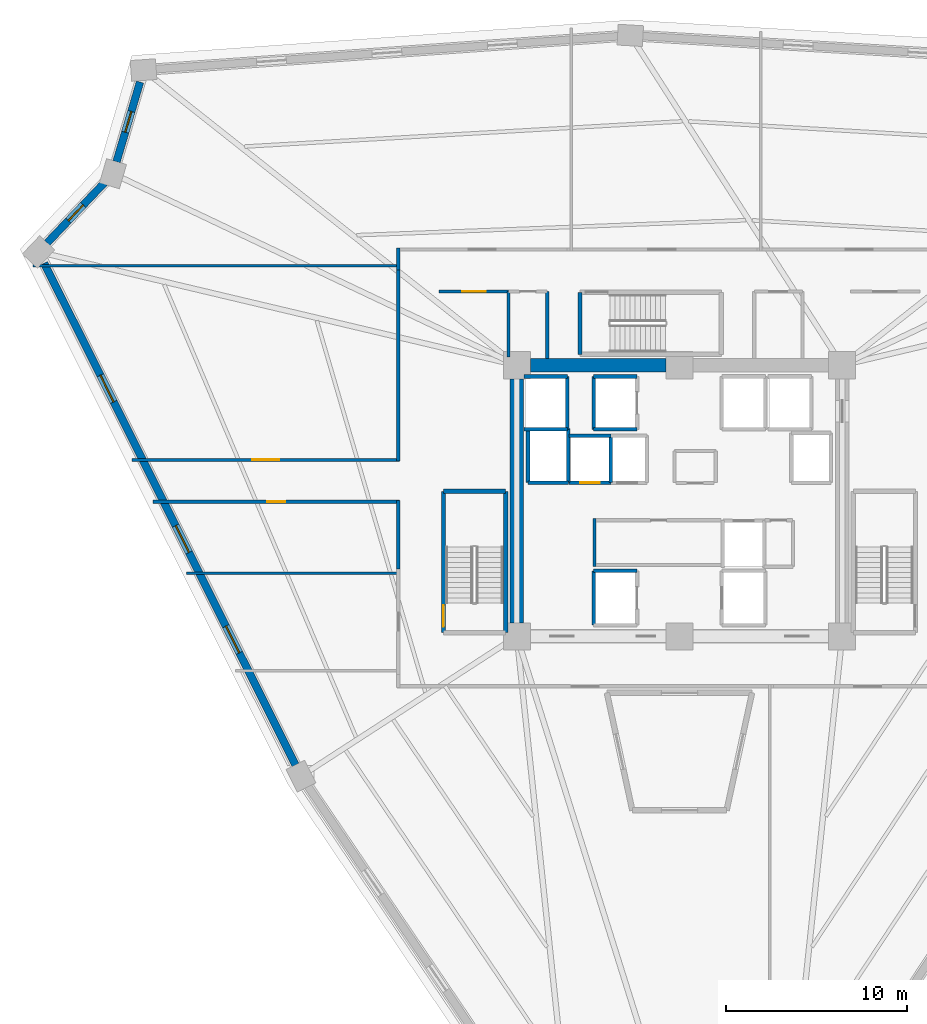
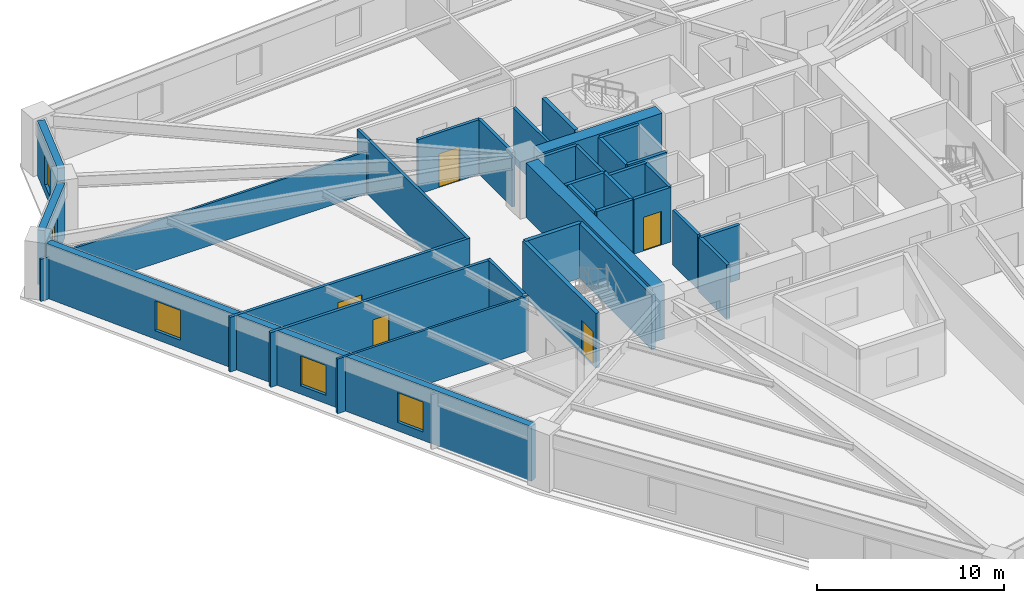
# One storey, part 4 of 9: 34 walls, 5 doors, 5 windows, 10 openings.
"""IFC4 building model written with IfcOpenShell, lengths in metres."""

from ifc_helpers import new_model, si_unit, direction, frame, frame_2d, origin, place, context, subcontext, project, spatial, rectangle, extrude, source, transform, mapped, material, layer, layer_set, type_object, element, fill, save


model = new_model("IFC4")

# Units and contexts
model_context = context("Model", 3, precision=1e-05, world=origin(), true_north=direction((0.0, 1.0)))
body_context = subcontext(model_context, "Body", "Model", "MODEL_VIEW")
ifc_project = project(units=[si_unit("LENGTHUNIT", "METRE"), si_unit("AREAUNIT", "SQUARE_METRE"), si_unit("VOLUMEUNIT", "CUBIC_METRE"), si_unit("PLANEANGLEUNIT", "RADIAN"), si_unit("MASSUNIT", "GRAM", prefix="KILO")], contexts=[model_context])

# Site, building, storey
site_placement = place(None, origin())
site = spatial("IfcSite", under=ifc_project, at=site_placement, CompositionType="ELEMENT")
building_placement = place(site_placement, origin())
building = spatial("IfcBuilding", under=site, at=building_placement, Name="Liaohun Quay Tower", CompositionType="ELEMENT")
storey_placement = place(building_placement, frame((0.0, 0.0, 144.0)))
storey = spatial("IfcBuildingStorey", under=building, at=storey_placement, Name="L37", CompositionType="ELEMENT", Elevation=144.0)

# Walls
ifc_material_1 = material(Name="Concrete C60", Category="concrete")
ifc_layer_1 = layer(ifc_material_1, 0.75, Name="Concrete C60", Category="concrete")
ifc_layer_set_1 = layer_set([ifc_layer_1], Name="Concrete C60")
wall_type_1 = type_object("IfcWallType", Name="WAL-COR-Z2", PredefinedType="SHEAR", material=ifc_layer_set_1)
wall_1_placement = place(storey_placement, frame((51.75, 61.5, 0.0), z_axis=(0.0, 0.0, 1.0), x_axis=(1.0, 0.0, 0.0)))
element("IfcWall", 1, at=wall_1_placement, inside=storey, type_object=wall_type_1, Name="L37 Central Core Shear Wall N-W", PredefinedType="SHEAR", context=body_context, shape_type="SweptSolid", body=[
    extrude(rectangle(XDim=7.5, YDim=0.75, at=frame_2d((3.75, 0.0))), origin(), (0.0, 0.0, 1.0), 3.570068359375),
])
wall_2_placement = place(storey_placement, frame((51.0, 47.25, 0.0), z_axis=(0.0, 0.0, 1.0), x_axis=(0.0, 1.0, 0.0)))
element("IfcWall", 2, at=wall_2_placement, inside=storey, type_object=wall_type_1, Name="L37 Central Core Shear Wall W", PredefinedType="SHEAR", context=body_context, shape_type="SweptSolid", body=[
    extrude(rectangle(XDim=13.5, YDim=0.75, at=frame_2d((6.75, 0.0))), origin(), (0.0, 0.0, 1.0), 3.570068359375),
])

# Wall, opening, window
ifc_material_2 = material(Name="Precast concrete C50 insulated sandwich", Category="concrete")
ifc_layer_2 = layer(ifc_material_2, 0.419921875, Name="Precast concrete C50 insulated sandwich", Category="concrete")
ifc_layer_set_2 = layer_set([ifc_layer_2], Name="Precast concrete C50 insulated sandwich")
wall_type_2 = type_object("IfcWallType", Name="WAL-EXT-Z12", PredefinedType="SOLIDWALL", material=ifc_layer_set_2)
wall_3_placement = place(storey_placement, frame((30.14892578125, 77.175048828125, 0.0), z_axis=(0.0, 0.0, 1.0), x_axis=(-0.282915865334, -0.959144730029, 0.0)))
wall_3 = element("IfcWall", 3, at=wall_3_placement, inside=storey, type_object=wall_type_2, Name="L37 Brutalist Precast Pier Wall 08", PredefinedType="SOLIDWALL", context=body_context, shape_type="SweptSolid", body=[
    extrude(rectangle(XDim=4.60205078125, YDim=0.419921875, at=frame_2d((2.301025390625, 0.0))), origin(), (0.0, 0.0, 1.0), 3.570068359375),
])
shared_shape_1 = source(origin(), body_context, "Body", "SweptSolid", [
    extrude(rectangle(XDim=1.199951171875, YDim=1.89990234375, at=frame_2d((0.60009765625, 0.949951171875))), frame((0.0, 0.219970703125, 0.0), z_axis=(0.0, -1.0, 0.0), x_axis=(1.0, 0.0, 0.0)), (0.0, 0.0, 1.0), 0.43994140625),
])
opening_1_placement = place(wall_3_placement, frame((1.700927734375, 0.0, 0.550048828125)))
opening_1 = element("IfcOpeningElement", 4, at=opening_1_placement, cuts=wall_3, Name="Opening W05", PredefinedType="OPENING", context=body_context, shape_type="MappedRepresentation", body=[
    mapped(shared_shape_1, transform((0.0, 0.0, 0.0), x_axis=(1.0, 0.0, 0.0), y_axis=(0.0, 1.0, 0.0), z_axis=(0.0, 0.0, 1.0), scale=1.0)),
])
ifc_material_3 = material(Name="Triple Low-E corner notch glazing", Category="glass")
window_type_1 = type_object("IfcWindowType", Name="WIN-NOTCH", PartitioningType="SINGLE_PANEL", PredefinedType="WINDOW", material=ifc_material_3)
shared_shape_2 = source(origin(), body_context, "Body", "SweptSolid", [
    extrude(rectangle(XDim=1.199951171875, YDim=1.89990234375, at=frame_2d((0.60009765625, 0.949951171875))), frame((0.0, 0.030029296875, 0.0), z_axis=(0.0, -1.0, 0.0), x_axis=(1.0, 0.0, 0.0)), (0.0, 0.0, 1.0), 0.06005859375),
])
window_1_placement = place(opening_1_placement, origin())
window_1 = element("IfcWindow", 5, at=window_1_placement, inside=storey, type_object=window_type_1, Name="L37 Corner Notch Window W05-08", OverallHeight=1.89990234375, OverallWidth=1.199951171875, PartitioningType="SINGLE_PANEL", PredefinedType="WINDOW", context=body_context, shape_type="MappedRepresentation", body=[
    mapped(shared_shape_2, transform((0.0, 0.0, 0.0), x_axis=(1.0, 0.0, 0.0), y_axis=(0.0, 1.0, 0.0), z_axis=(0.0, 0.0, 1.0), scale=1.0)),
])
fill(opening_1, window_1)

wall_4_placement = place(storey_placement, frame((28.176025390625, 71.59912109375, 0.0), z_axis=(0.0, 0.0, 1.0), x_axis=(-0.689246421926, -0.724526997331, 0.0)))
wall_4 = element("IfcWall", 6, at=wall_4_placement, inside=storey, type_object=wall_type_2, Name="L37 Brutalist Precast Pier Wall 09", PredefinedType="SOLIDWALL", context=body_context, shape_type="SweptSolid", body=[
    extrude(rectangle(XDim=4.594970703125, YDim=0.419921875, at=frame_2d((2.29736328125, 0.0))), origin(), (0.0, 0.0, 1.0), 3.570068359375),
])
opening_2_placement = place(wall_4_placement, frame((1.697021484375, 0.0, 0.550048828125)))
opening_2 = element("IfcOpeningElement", 7, at=opening_2_placement, cuts=wall_4, Name="Opening W05", PredefinedType="OPENING", context=body_context, shape_type="MappedRepresentation", body=[
    mapped(shared_shape_1, transform((0.0, 0.0, 0.0), x_axis=(1.0, 0.0, 0.0), y_axis=(0.0, 1.0, 0.0), z_axis=(0.0, 0.0, 1.0), scale=1.0)),
])
window_2_placement = place(opening_2_placement, origin())
window_2 = element("IfcWindow", 8, at=window_2_placement, inside=storey, type_object=window_type_1, Name="L37 Corner Notch Window W05-09", OverallHeight=1.89990234375, OverallWidth=1.199951171875, PartitioningType="SINGLE_PANEL", PredefinedType="WINDOW", context=body_context, shape_type="MappedRepresentation", body=[
    mapped(shared_shape_2, transform((0.0, 0.0, 0.0), x_axis=(1.0, 0.0, 0.0), y_axis=(0.0, 1.0, 0.0), z_axis=(0.0, 0.0, 1.0), scale=1.0)),
])
fill(opening_2, window_2)

# Wall, openings, windows
wall_5_placement = place(storey_placement, frame((24.842041015625, 67.153076171875, 0.0), z_axis=(0.0, 0.0, 1.0), x_axis=(0.447741761442, -0.894162913043, 0.0)))
wall_5 = element("IfcWall", 9, at=wall_5_placement, inside=storey, type_object=wall_type_2, Name="L37 Brutalist Precast Pier Wall 10", PredefinedType="SOLIDWALL", context=body_context, shape_type="SweptSolid", body=[
    extrude(rectangle(XDim=31.05810546875, YDim=0.419921875, at=frame_2d((15.529052734375, 0.0))), origin(), (0.0, 0.0, 1.0), 3.570068359375),
])
shared_shape_3 = source(origin(), body_context, "Body", "SweptSolid", [
    extrude(rectangle(XDim=1.64990234375, YDim=1.949951171875, at=frame_2d((0.824951171875, 0.97509765625))), frame((0.0, 0.219970703125, 0.0), z_axis=(0.0, -1.0, 0.0), x_axis=(1.0, 0.0, 0.0)), (0.0, 0.0, 1.0), 0.43994140625),
])
opening_3_placement = place(wall_5_placement, frame((6.93994140625, 0.0, 0.550048828125)))
opening_3 = element("IfcOpeningElement", 10, at=opening_3_placement, cuts=wall_5, Name="Opening W02", PredefinedType="OPENING", context=body_context, shape_type="MappedRepresentation", body=[
    mapped(shared_shape_3, transform((0.0, 0.0, 0.0), x_axis=(1.0, 0.0, 0.0), y_axis=(0.0, 1.0, 0.0), z_axis=(0.0, 0.0, 1.0), scale=1.0)),
])
opening_4_placement = place(wall_5_placement, frame((16.25390625, 0.0, 0.550048828125)))
opening_4 = element("IfcOpeningElement", 11, at=opening_4_placement, cuts=wall_5, Name="Opening W02", PredefinedType="OPENING", context=body_context, shape_type="MappedRepresentation", body=[
    mapped(shared_shape_3, transform((0.0, 0.0, 0.0), x_axis=(1.0, 0.0, 0.0), y_axis=(0.0, 1.0, 0.0), z_axis=(0.0, 0.0, 1.0), scale=1.0)),
])
opening_5_placement = place(wall_5_placement, frame((22.468994140625, 0.0, 0.550048828125)))
opening_5 = element("IfcOpeningElement", 12, at=opening_5_placement, cuts=wall_5, Name="Opening W02", PredefinedType="OPENING", context=body_context, shape_type="MappedRepresentation", body=[
    mapped(shared_shape_3, transform((0.0, 0.0, 0.0), x_axis=(1.0, 0.0, 0.0), y_axis=(0.0, 1.0, 0.0), z_axis=(0.0, 0.0, 1.0), scale=1.0)),
])
ifc_material_4 = material(Name="Triple Low-E argon glazing in thermally broken aluminium", Category="aluminium")
window_type_2 = type_object("IfcWindowType", Name="WIN-PUN-Z2", PartitioningType="DOUBLE_PANEL_VERTICAL", PredefinedType="WINDOW", material=ifc_material_4)
shared_shape_4 = source(origin(), body_context, "Body", "SweptSolid", [
    extrude(rectangle(XDim=1.64990234375, YDim=1.949951171875, at=frame_2d((0.824951171875, 0.97509765625))), frame((0.0, 0.030029296875, 0.0), z_axis=(0.0, -1.0, 0.0), x_axis=(1.0, 0.0, 0.0)), (0.0, 0.0, 1.0), 0.06005859375),
])
window_3_placement = place(opening_3_placement, origin())
window_3 = element("IfcWindow", 13, at=window_3_placement, inside=storey, type_object=window_type_2, Name="L37 Recessed Cold-Climate Punched Window 10-1", OverallHeight=1.949951171875, OverallWidth=1.64990234375, PartitioningType="DOUBLE_PANEL_VERTICAL", PredefinedType="WINDOW", context=body_context, shape_type="MappedRepresentation", body=[
    mapped(shared_shape_4, transform((0.0, 0.0, 0.0), x_axis=(1.0, 0.0, 0.0), y_axis=(0.0, 1.0, 0.0), z_axis=(0.0, 0.0, 1.0), scale=1.0)),
])
fill(opening_3, window_3)
window_4_placement = place(opening_4_placement, origin())
window_4 = element("IfcWindow", 14, at=window_4_placement, inside=storey, type_object=window_type_2, Name="L37 Recessed Cold-Climate Punched Window 10-2", OverallHeight=1.949951171875, OverallWidth=1.64990234375, PartitioningType="DOUBLE_PANEL_VERTICAL", PredefinedType="WINDOW", context=body_context, shape_type="MappedRepresentation", body=[
    mapped(shared_shape_4, transform((0.0, 0.0, 0.0), x_axis=(1.0, 0.0, 0.0), y_axis=(0.0, 1.0, 0.0), z_axis=(0.0, 0.0, 1.0), scale=1.0)),
])
fill(opening_4, window_4)
window_5_placement = place(opening_5_placement, origin())
window_5 = element("IfcWindow", 15, at=window_5_placement, inside=storey, type_object=window_type_2, Name="L37 Recessed Cold-Climate Punched Window 10-3", OverallHeight=1.949951171875, OverallWidth=1.64990234375, PartitioningType="DOUBLE_PANEL_VERTICAL", PredefinedType="WINDOW", context=body_context, shape_type="MappedRepresentation", body=[
    mapped(shared_shape_4, transform((0.0, 0.0, 0.0), x_axis=(1.0, 0.0, 0.0), y_axis=(0.0, 1.0, 0.0), z_axis=(0.0, 0.0, 1.0), scale=1.0)),
])
fill(opening_5, window_5)

# Wall, opening, door
ifc_material_5 = material(Name="Autoclaved aerated concrete blockwork", Category="masonry")
ifc_layer_3 = layer(ifc_material_5, 0.179931640625, Name="Autoclaved aerated concrete blockwork", Category="masonry")
ifc_layer_set_3 = layer_set([ifc_layer_3], Name="Autoclaved aerated concrete blockwork")
wall_type_3 = type_object("IfcWallType", Name="WAL-PRT-COR", PredefinedType="PARTITIONING", material=ifc_layer_set_3)
wall_6_placement = place(storey_placement, frame((46.699951171875, 65.580078125, 0.0), z_axis=(0.0, 0.0, 1.0), x_axis=(1.0, 0.0, 0.0)))
wall_6 = element("IfcWall", 16, at=wall_6_placement, inside=storey, type_object=wall_type_3, Name="L37 Interior Partition Wall 009", PredefinedType="PARTITIONING", context=body_context, shape_type="SweptSolid", body=[
    extrude(rectangle(XDim=3.840087890625, YDim=0.179931640625, at=frame_2d((1.919921875, 0.0))), origin(), (0.0, 0.0, 1.0), 3.570068359375),
])
shared_shape_5 = source(origin(), body_context, "Body", "SweptSolid", [
    extrude(rectangle(XDim=1.300048828125, YDim=2.199951171875, at=frame_2d((0.64990234375, 1.10009765625))), frame((0.0, 0.099853515625, 0.0), z_axis=(0.0, -1.0, 0.0), x_axis=(1.0, 0.0, 0.0)), (0.0, 0.0, 1.0), 0.199951171875),
])
opening_6_placement = place(wall_6_placement, frame((1.27001953125, 0.0, 0.0)))
opening_6 = element("IfcOpeningElement", 17, at=opening_6_placement, cuts=wall_6, Name="Opening FD1", PredefinedType="OPENING", context=body_context, shape_type="MappedRepresentation", body=[
    mapped(shared_shape_5, transform((0.0, 0.0, 0.0), x_axis=(1.0, 0.0, 0.0), y_axis=(0.0, 1.0, 0.0), z_axis=(0.0, 0.0, 1.0), scale=1.0)),
])
ifc_material_6 = material(Name="Galvanised steel smokeproof fire door", Category="steel")
door_type_1 = type_object("IfcDoorType", Name="DOR-FFL-1300", OperationType="NOTDEFINED", PredefinedType="DOOR", material=ifc_material_6)
shared_shape_6 = source(origin(), body_context, "Body", "SweptSolid", [
    extrude(rectangle(XDim=1.300048828125, YDim=2.199951171875, at=frame_2d((0.64990234375, 1.10009765625))), frame((0.0, 0.02490234375, 0.0), z_axis=(0.0, -1.0, 0.0), x_axis=(1.0, 0.0, 0.0)), (0.0, 0.0, 1.0), 0.050048828125),
])
door_1_placement = place(opening_6_placement, origin())
door_1 = element("IfcDoor", 18, at=door_1_placement, inside=storey, type_object=door_type_1, Name="L37 West Core Vestibule Door", OperationType="SINGLE_SWING_RIGHT", OverallHeight=2.199951171875, OverallWidth=1.300048828125, PredefinedType="DOOR", context=body_context, shape_type="MappedRepresentation", body=[
    mapped(shared_shape_6, transform((0.0, 0.0, 0.0), x_axis=(1.0, 0.0, 0.0), y_axis=(0.0, 1.0, 0.0), z_axis=(0.0, 0.0, 1.0), scale=1.0)),
])
fill(opening_6, door_1)

wall_7_placement = place(storey_placement, frame((29.700927734375, 56.260009765625, 0.0), z_axis=(0.0, 0.0, 1.0), x_axis=(1.0, 0.0, 0.0)))
wall_7 = element("IfcWall", 19, at=wall_7_placement, inside=storey, type_object=wall_type_3, Name="L37 Interior Partition Wall 015", PredefinedType="PARTITIONING", context=body_context, shape_type="SweptSolid", body=[
    extrude(rectangle(XDim=14.80908203125, YDim=0.179931640625, at=frame_2d((7.404541015625, 0.0))), origin(), (0.0, 0.0, 1.0), 3.570068359375),
])
shared_shape_7 = source(origin(), body_context, "Body", "SweptSolid", [
    extrude(rectangle(XDim=1.5, YDim=2.199951171875, at=frame_2d((0.75, 1.10009765625))), frame((0.0, 0.099853515625, 0.0), z_axis=(0.0, -1.0, 0.0), x_axis=(1.0, 0.0, 0.0)), (0.0, 0.0, 1.0), 0.199951171875),
])
opening_7_placement = place(wall_7_placement, frame((6.654052734375, 0.0, 0.0)))
opening_7 = element("IfcOpeningElement", 20, at=opening_7_placement, cuts=wall_7, Name="Opening OD2", PredefinedType="OPENING", context=body_context, shape_type="MappedRepresentation", body=[
    mapped(shared_shape_7, transform((0.0, 0.0, 0.0), x_axis=(1.0, 0.0, 0.0), y_axis=(0.0, 1.0, 0.0), z_axis=(0.0, 0.0, 1.0), scale=1.0)),
])
ifc_material_7 = material(Name="Acoustic oak veneer double door")
door_type_2 = type_object("IfcDoorType", Name="DOR-OFF-1500", OperationType="DOUBLE_DOOR_SINGLE_SWING", PredefinedType="DOOR", material=ifc_material_7)
shared_shape_8 = source(origin(), body_context, "Body", "SweptSolid", [
    extrude(rectangle(XDim=1.5, YDim=2.199951171875, at=frame_2d((0.75, 1.10009765625))), frame((0.0, 0.02490234375, 0.0), z_axis=(0.0, -1.0, 0.0), x_axis=(1.0, 0.0, 0.0)), (0.0, 0.0, 1.0), 0.050048828125),
])
door_2_placement = place(opening_7_placement, origin())
door_2 = element("IfcDoor", 21, at=door_2_placement, inside=storey, type_object=door_type_2, Name="L37 Occupational Wellness Clinic 05 Door", OperationType="DOUBLE_DOOR_SINGLE_SWING", OverallHeight=2.199951171875, OverallWidth=1.5, PredefinedType="DOOR", context=body_context, shape_type="MappedRepresentation", body=[
    mapped(shared_shape_8, transform((0.0, 0.0, 0.0), x_axis=(1.0, 0.0, 0.0), y_axis=(0.0, 1.0, 0.0), z_axis=(0.0, 0.0, 1.0), scale=1.0)),
])
fill(opening_7, door_2)

wall_8_placement = place(storey_placement, frame((44.510009765625, 53.93994140625, 0.0), z_axis=(0.0, 0.0, 1.0), x_axis=(-1.0, 0.0, 0.0)))
wall_8 = element("IfcWall", 22, at=wall_8_placement, inside=storey, type_object=wall_type_3, Name="L37 Interior Partition Wall 016", PredefinedType="PARTITIONING", context=body_context, shape_type="SweptSolid", body=[
    extrude(rectangle(XDim=13.64697265625, YDim=0.179931640625, at=frame_2d((6.823486328125, 0.0))), origin(), (0.0, 0.0, 1.0), 3.570068359375),
])
shared_shape_9 = source(origin(), body_context, "Body", "SweptSolid", [
    extrude(rectangle(XDim=1.0, YDim=2.199951171875, at=frame_2d((0.5, 1.10009765625))), frame((0.0, 0.099853515625, 0.0), z_axis=(0.0, -1.0, 0.0), x_axis=(1.0, 0.0, 0.0)), (0.0, 0.0, 1.0), 0.199951171875),
])
opening_8_placement = place(wall_8_placement, frame((6.322998046875, 0.0, 0.0)))
opening_8 = element("IfcOpeningElement", 23, at=opening_8_placement, cuts=wall_8, Name="Opening OD1", PredefinedType="OPENING", context=body_context, shape_type="MappedRepresentation", body=[
    mapped(shared_shape_9, transform((0.0, 0.0, 0.0), x_axis=(1.0, 0.0, 0.0), y_axis=(0.0, 1.0, 0.0), z_axis=(0.0, 0.0, 1.0), scale=1.0)),
])
ifc_material_8 = material(Name="Solid-core oak veneer timber leaf in steel frame", Category="steel")
door_type_3 = type_object("IfcDoorType", Name="DOR-OFF-1000", OperationType="NOTDEFINED", PredefinedType="DOOR", material=ifc_material_8)
shared_shape_10 = source(origin(), body_context, "Body", "SweptSolid", [
    extrude(rectangle(XDim=1.0, YDim=2.199951171875, at=frame_2d((0.5, 1.10009765625))), frame((0.0, 0.02490234375, 0.0), z_axis=(0.0, -1.0, 0.0), x_axis=(1.0, 0.0, 0.0)), (0.0, 0.0, 1.0), 0.050048828125),
])
door_3_placement = place(opening_8_placement, origin())
door_3 = element("IfcDoor", 24, at=door_3_placement, inside=storey, type_object=door_type_3, Name="L37 Staff Tea Kitchen and Pantry 06 Door", OperationType="SINGLE_SWING_LEFT", OverallHeight=2.199951171875, OverallWidth=1.0, PredefinedType="DOOR", context=body_context, shape_type="MappedRepresentation", body=[
    mapped(shared_shape_10, transform((0.0, 0.0, 0.0), x_axis=(1.0, 0.0, 0.0), y_axis=(0.0, 1.0, 0.0), z_axis=(0.0, 0.0, 1.0), scale=1.0)),
])
fill(opening_8, door_3)

# Walls
wall_9_placement = place(storey_placement, frame((50.5400390625, 61.949951171875, 0.0), z_axis=(0.0, 0.0, 1.0), x_axis=(0.0, 1.0, 0.0)))
element("IfcWall", 25, at=wall_9_placement, inside=storey, type_object=wall_type_3, Name="L37 Interior Partition Wall 032", PredefinedType="PARTITIONING", context=body_context, shape_type="SweptSolid", body=[
    extrude(rectangle(XDim=3.630126953125, YDim=0.179931640625, at=frame_2d((1.81494140625, 0.0))), origin(), (0.0, 0.0, 1.0), 3.570068359375),
])
wall_10_placement = place(storey_placement, frame((52.679931640625, 61.875, 0.0), z_axis=(0.0, 0.0, 1.0), x_axis=(0.0, 1.0, 0.0)))
element("IfcWall", 26, at=wall_10_placement, inside=storey, type_object=wall_type_3, Name="L37 Interior Partition Wall 033", PredefinedType="PARTITIONING", context=body_context, shape_type="SweptSolid", body=[
    extrude(rectangle(XDim=3.705078125, YDim=0.179931640625, at=frame_2d((1.8525390625, 0.0))), origin(), (0.0, 0.0, 1.0), 3.570068359375),
])
wall_11_placement = place(storey_placement, frame((44.43994140625, 66.784912109375, 0.0), z_axis=(0.0, 0.0, 1.0), x_axis=(0.0, 1.0, 0.0)))
element("IfcWall", 27, at=wall_11_placement, inside=storey, type_object=wall_type_3, Name="L37 Interior Partition Wall 038", PredefinedType="PARTITIONING", context=body_context, shape_type="SweptSolid", body=[
    extrude(rectangle(XDim=1.195068359375, YDim=0.179931640625, at=frame_2d((0.59765625, 0.0))), origin(), (0.0, 0.0, 1.0), 3.570068359375),
])
wall_12_placement = place(storey_placement, frame((44.43994140625, 56.18994140625, 0.0), z_axis=(0.0, 0.0, 1.0), x_axis=(0.0, 1.0, 0.0)))
element("IfcWall", 28, at=wall_12_placement, inside=storey, type_object=wall_type_3, Name="L37 Interior Partition Wall 039", PredefinedType="PARTITIONING", context=body_context, shape_type="SweptSolid", body=[
    extrude(rectangle(XDim=10.594970703125, YDim=0.179931640625, at=frame_2d((5.29736328125, 0.0))), origin(), (0.0, 0.0, 1.0), 3.570068359375),
])
wall_13_placement = place(storey_placement, frame((44.43994140625, 50.215087890625, 0.0), z_axis=(0.0, 0.0, 1.0), x_axis=(0.0, 1.0, 0.0)))
element("IfcWall", 29, at=wall_13_placement, inside=storey, type_object=wall_type_3, Name="L37 Interior Partition Wall 040", PredefinedType="PARTITIONING", context=body_context, shape_type="SweptSolid", body=[
    extrude(rectangle(XDim=3.794921875, YDim=0.179931640625, at=frame_2d((1.8974609375, 0.0))), origin(), (0.0, 0.0, 1.0), 3.570068359375),
])
wall_14_placement = place(storey_placement, frame((55.300048828125, 50.360107421875, 0.0), z_axis=(0.0, 0.0, 1.0), x_axis=(0.0, 1.0, 0.0)))
element("IfcWall", 30, at=wall_14_placement, inside=storey, type_object=wall_type_3, Name="L37 Interior Partition Wall 054", PredefinedType="PARTITIONING", context=body_context, shape_type="SweptSolid", body=[
    extrude(rectangle(XDim=2.64990234375, YDim=0.179931640625, at=frame_2d((1.324951171875, 0.0))), origin(), (0.0, 0.0, 1.0), 3.570068359375),
])
ifc_material_9 = material(Name="Gypsum board on twin steel studs", Category="steel")
ifc_layer_4 = layer(ifc_material_9, 0.139892578125, Name="Gypsum board on twin steel studs", Category="steel")
ifc_layer_set_4 = layer_set([ifc_layer_4], Name="Gypsum board on twin steel studs")
wall_type_4 = type_object("IfcWallType", Name="WAL-PRT-OFF", PredefinedType="PARTITIONING", material=ifc_layer_set_4)
wall_15_placement = place(storey_placement, frame((44.5400390625, 50.0, 0.0), z_axis=(0.0, 0.0, 1.0), x_axis=(-1.0, 0.0, 0.0)))
element("IfcWall", 31, at=wall_15_placement, inside=storey, type_object=wall_type_4, Name="L37 Interior Partition Wall 045", PredefinedType="PARTITIONING", context=body_context, shape_type="SweptSolid", body=[
    extrude(rectangle(XDim=11.81298828125, YDim=0.139892578125, at=frame_2d((5.906494140625, 0.0))), origin(), (0.0, 0.0, 1.0), 3.570068359375),
])
wall_16_placement = place(storey_placement, frame((44.5400390625, 67.0, 0.0), z_axis=(0.0, 0.0, 1.0), x_axis=(-1.0, 0.0, 0.0)))
element("IfcWall", 32, at=wall_16_placement, inside=storey, type_object=wall_type_4, Name="L37 Interior Partition Wall 046", PredefinedType="PARTITIONING", context=body_context, shape_type="SweptSolid", body=[
    extrude(rectangle(XDim=20.325927734375, YDim=0.139892578125, at=frame_2d((10.1630859375, 0.0))), origin(), (0.0, 0.0, 1.0), 2.7548828125),
])
ifc_material_10 = material(Name="Concrete C50", Category="concrete")
ifc_layer_5 = layer(ifc_material_10, 0.239990234375, Name="Concrete C50", Category="concrete")
ifc_layer_set_5 = layer_set([ifc_layer_5], Name="Concrete C50")
wall_type_5 = type_object("IfcWallType", Name="WAL-SHF-200", PredefinedType="SOLIDWALL", material=ifc_layer_set_5)
wall_17_placement = place(storey_placement, frame((50.3798828125, 46.699951171875, 0.0), z_axis=(0.0, 0.0, 1.0), x_axis=(0.0, 1.0, 0.0)))
element("IfcWall", 33, at=wall_17_placement, inside=storey, type_object=wall_type_5, Name="L37 Stairwell ST-1 Structural Core Wall E", PredefinedType="SOLIDWALL", context=body_context, shape_type="SweptSolid", body=[
    extrude(rectangle(XDim=7.820068359375, YDim=0.239990234375, at=frame_2d((3.91015625, 0.0))), origin(), (0.0, 0.0, 1.0), 3.570068359375),
])
wall_18_placement = place(storey_placement, frame((50.3798828125, 54.52001953125, 0.0), z_axis=(0.0, 0.0, 1.0), x_axis=(-1.0, 0.0, 0.0)))
element("IfcWall", 34, at=wall_18_placement, inside=storey, type_object=wall_type_5, Name="L37 Stairwell ST-1 Structural Core Wall N", PredefinedType="SOLIDWALL", context=body_context, shape_type="SweptSolid", body=[
    extrude(rectangle(XDim=3.43994140625, YDim=0.239990234375, at=frame_2d((1.719970703125, 0.0))), origin(), (0.0, 0.0, 1.0), 3.570068359375),
])

# Wall, opening, door
wall_19_placement = place(storey_placement, frame((46.93994140625, 54.52001953125, 0.0), z_axis=(0.0, 0.0, 1.0), x_axis=(0.0, -1.0, 0.0)))
wall_19 = element("IfcWall", 35, at=wall_19_placement, inside=storey, type_object=wall_type_5, Name="L37 Stairwell ST-1 Structural Core Wall W", PredefinedType="SOLIDWALL", context=body_context, shape_type="SweptSolid", body=[
    extrude(rectangle(XDim=7.820068359375, YDim=0.239990234375, at=frame_2d((3.91015625, 0.0))), origin(), (0.0, 0.0, 1.0), 3.570068359375),
])
shared_shape_11 = source(origin(), body_context, "Body", "SweptSolid", [
    extrude(rectangle(XDim=1.199951171875, YDim=2.199951171875, at=frame_2d((0.60009765625, 1.10009765625))), frame((0.0, 0.1298828125, 0.0), z_axis=(0.0, -1.0, 0.0), x_axis=(1.0, 0.0, 0.0)), (0.0, 0.0, 1.0), 0.260009765625),
])
opening_9_placement = place(wall_19_placement, frame((6.300048828125, 0.0, 0.0)))
opening_9 = element("IfcOpeningElement", 36, at=opening_9_placement, cuts=wall_19, Name="Opening SD1", PredefinedType="OPENING", context=body_context, shape_type="MappedRepresentation", body=[
    mapped(shared_shape_11, transform((0.0, 0.0, 0.0), x_axis=(1.0, 0.0, 0.0), y_axis=(0.0, 1.0, 0.0), z_axis=(0.0, 0.0, 1.0), scale=1.0)),
])
ifc_material_11 = material(Name="Galvanised steel fire door", Category="steel")
door_type_4 = type_object("IfcDoorType", Name="DOR-STR-1200", OperationType="NOTDEFINED", PredefinedType="DOOR", material=ifc_material_11)
shared_shape_12 = source(origin(), body_context, "Body", "SweptSolid", [
    extrude(rectangle(XDim=1.199951171875, YDim=2.199951171875, at=frame_2d((0.60009765625, 1.10009765625))), frame((0.0, 0.02490234375, 0.0), z_axis=(0.0, -1.0, 0.0), x_axis=(1.0, 0.0, 0.0)), (0.0, 0.0, 1.0), 0.050048828125),
])
door_4_placement = place(opening_9_placement, origin())
door_4 = element("IfcDoor", 37, at=door_4_placement, inside=storey, type_object=door_type_4, Name="L37 Protected Stair ST-1 Fire Door", OperationType="SINGLE_SWING_LEFT", OverallHeight=2.199951171875, OverallWidth=1.199951171875, PredefinedType="DOOR", context=body_context, shape_type="MappedRepresentation", body=[
    mapped(shared_shape_12, transform((0.0, 0.0, 0.0), x_axis=(1.0, 0.0, 0.0), y_axis=(0.0, 1.0, 0.0), z_axis=(0.0, 0.0, 1.0), scale=1.0)),
])
fill(opening_9, door_4)

# Walls
wall_20_placement = place(storey_placement, frame((54.5, 65.5400390625, 0.0), z_axis=(0.0, 0.0, 1.0), x_axis=(0.0, -1.0, 0.0)))
element("IfcWall", 38, at=wall_20_placement, inside=storey, type_object=wall_type_5, Name="L37 Stairwell ST-3 Structural Core Wall W", PredefinedType="SOLIDWALL", context=body_context, shape_type="SweptSolid", body=[
    extrude(rectangle(XDim=3.43994140625, YDim=0.239990234375, at=frame_2d((1.719970703125, 0.0))), origin(), (0.0, 0.0, 1.0), 3.570068359375),
])
wall_21_placement = place(storey_placement, frame((57.64990234375, 50.1201171875, 0.0), z_axis=(0.0, 0.0, 1.0), x_axis=(-1.0, 0.0, 0.0)))
element("IfcWall", 39, at=wall_21_placement, inside=storey, type_object=wall_type_5, Name="L37 Lift FF-01 Hoistway Wall N", PredefinedType="SOLIDWALL", context=body_context, shape_type="SweptSolid", body=[
    extrude(rectangle(XDim=2.39990234375, YDim=0.199951171875, at=frame_2d((1.199951171875, 0.0))), origin(), (0.0, 0.0, 1.0), 3.570068359375),
])
wall_22_placement = place(storey_placement, frame((55.25, 50.1201171875, 0.0), z_axis=(0.0, 0.0, 1.0), x_axis=(0.0, -1.0, 0.0)))
element("IfcWall", 40, at=wall_22_placement, inside=storey, type_object=wall_type_5, Name="L37 Lift FF-01 Hoistway Wall W", PredefinedType="SOLIDWALL", context=body_context, shape_type="SweptSolid", body=[
    extrude(rectangle(XDim=3.0, YDim=0.199951171875, at=frame_2d((1.5, 0.0))), origin(), (0.0, 0.0, 1.0), 3.570068359375),
])
for number, where, z_axis, x_axis, name in (
    (41, (55.25, 57.949951171875, 0.0), (0.0, 0.0, 1.0), (1.0, 0.0, 0.0), "L37 Lift FF-03 Hoistway Wall S"),
    (42, (57.64990234375, 60.8798828125, 0.0), (0.0, 0.0, 1.0), (-1.0, 0.0, 0.0), "L37 Lift FF-03 Hoistway Wall N"),
):
    element("IfcWall", number, at=place(storey_placement, frame(where, z_axis=z_axis, x_axis=x_axis)), inside=storey, type_object=wall_type_5, Name=name, PredefinedType="SOLIDWALL", context=body_context, shape_type="SweptSolid", body=[
        extrude(rectangle(XDim=2.39990234375, YDim=0.199951171875, at=frame_2d((1.199951171875, 0.0))), origin(), (0.0, 0.0, 1.0), 3.570068359375),
    ])
wall_23_placement = place(storey_placement, frame((55.25, 60.8798828125, 0.0), z_axis=(0.0, 0.0, 1.0), x_axis=(0.0, -1.0, 0.0)))
element("IfcWall", 43, at=wall_23_placement, inside=storey, type_object=wall_type_5, Name="L37 Lift FF-03 Hoistway Wall W", PredefinedType="SOLIDWALL", context=body_context, shape_type="SweptSolid", body=[
    extrude(rectangle(XDim=2.929931640625, YDim=0.199951171875, at=frame_2d((1.46484375, 0.0))), origin(), (0.0, 0.0, 1.0), 3.570068359375),
])
wall_24_placement = place(storey_placement, frame((51.39990234375, 57.949951171875, 0.0), z_axis=(0.0, 0.0, 1.0), x_axis=(1.0, 0.0, 0.0)))
element("IfcWall", 44, at=wall_24_placement, inside=storey, type_object=wall_type_5, Name="L37 Lift SH-01 Hoistway Wall S", PredefinedType="SOLIDWALL", context=body_context, shape_type="SweptSolid", body=[
    extrude(rectangle(XDim=2.400146484375, YDim=0.199951171875, at=frame_2d((1.2001953125, 0.0))), origin(), (0.0, 0.0, 1.0), 3.570068359375),
])
wall_25_placement = place(storey_placement, frame((53.800048828125, 57.949951171875, 0.0), z_axis=(0.0, 0.0, 1.0), x_axis=(0.0, 1.0, 0.0)))
element("IfcWall", 45, at=wall_25_placement, inside=storey, type_object=wall_type_5, Name="L37 Lift SH-01 Hoistway Wall E", PredefinedType="SOLIDWALL", context=body_context, shape_type="SweptSolid", body=[
    extrude(rectangle(XDim=2.929931640625, YDim=0.199951171875, at=frame_2d((1.46484375, 0.0))), origin(), (0.0, 0.0, 1.0), 3.570068359375),
])
wall_26_placement = place(storey_placement, frame((53.800048828125, 60.8798828125, 0.0), z_axis=(0.0, 0.0, 1.0), x_axis=(-1.0, 0.0, 0.0)))
element("IfcWall", 46, at=wall_26_placement, inside=storey, type_object=wall_type_5, Name="L37 Lift SH-01 Hoistway Wall N", PredefinedType="SOLIDWALL", context=body_context, shape_type="SweptSolid", body=[
    extrude(rectangle(XDim=2.400146484375, YDim=0.199951171875, at=frame_2d((1.2001953125, 0.0))), origin(), (0.0, 0.0, 1.0), 3.570068359375),
])
wall_27_placement = place(storey_placement, frame((51.6201171875, 55.0, 0.0), z_axis=(0.0, 0.0, 1.0), x_axis=(1.0, 0.0, 0.0)))
element("IfcWall", 47, at=wall_27_placement, inside=storey, type_object=wall_type_5, Name="L37 Lift SH-02 Hoistway Wall S", PredefinedType="SOLIDWALL", context=body_context, shape_type="SweptSolid", body=[
    extrude(rectangle(XDim=2.22998046875, YDim=0.199951171875, at=frame_2d((1.114990234375, 0.0))), origin(), (0.0, 0.0, 1.0), 3.570068359375),
])
for number, where, z_axis, x_axis, name in (
    (48, (53.85009765625, 55.0, 0.0), (0.0, 0.0, 1.0), (0.0, 1.0, 0.0), "L37 Lift SH-02 Hoistway Wall E"),
    (49, (51.6201171875, 58.0, 0.0), (0.0, 0.0, 1.0), (0.0, -1.0, 0.0), "L37 Lift SH-02 Hoistway Wall W"),
):
    element("IfcWall", number, at=place(storey_placement, frame(where, z_axis=z_axis, x_axis=x_axis)), inside=storey, type_object=wall_type_5, Name=name, PredefinedType="SOLIDWALL", context=body_context, shape_type="SweptSolid", body=[
        extrude(rectangle(XDim=3.0, YDim=0.199951171875, at=frame_2d((1.5, 0.0))), origin(), (0.0, 0.0, 1.0), 3.570068359375),
    ])

# Wall, opening, door
wall_28_placement = place(storey_placement, frame((53.89990234375, 55.0, 0.0), z_axis=(0.0, 0.0, 1.0), x_axis=(1.0, 0.0, 0.0)))
wall_28 = element("IfcWall", 50, at=wall_28_placement, inside=storey, type_object=wall_type_5, Name="L37 Lift PL-2B Hoistway Wall S", PredefinedType="SOLIDWALL", context=body_context, shape_type="SweptSolid", body=[
    extrude(rectangle(XDim=2.300048828125, YDim=0.199951171875, at=frame_2d((1.14990234375, 0.0))), origin(), (0.0, 0.0, 1.0), 3.570068359375),
])
shared_shape_13 = source(origin(), body_context, "Body", "SweptSolid", [
    extrude(rectangle(XDim=1.10009765625, YDim=2.199951171875, at=frame_2d((0.550048828125, 1.10009765625))), frame((0.0, 0.10986328125, 0.0), z_axis=(0.0, -1.0, 0.0), x_axis=(1.0, 0.0, 0.0)), (0.0, 0.0, 1.0), 0.219970703125),
])
opening_10_placement = place(wall_28_placement, frame((0.60009765625, 0.0, 0.0)))
opening_10 = element("IfcOpeningElement", 51, at=opening_10_placement, cuts=wall_28, Name="Opening LD1", PredefinedType="OPENING", context=body_context, shape_type="MappedRepresentation", body=[
    mapped(shared_shape_13, transform((0.0, 0.0, 0.0), x_axis=(1.0, 0.0, 0.0), y_axis=(0.0, 1.0, 0.0), z_axis=(0.0, 0.0, 1.0), scale=1.0)),
])
ifc_material_12 = material(Name="Brushed stainless steel landing door", Category="steel")
door_type_5 = type_object("IfcDoorType", Name="DOR-LFT-1100", OperationType="SLIDING_TO_LEFT", PredefinedType="DOOR", material=ifc_material_12)
shared_shape_14 = source(origin(), body_context, "Body", "SweptSolid", [
    extrude(rectangle(XDim=1.10009765625, YDim=2.199951171875, at=frame_2d((0.550048828125, 1.10009765625))), frame((0.0, 0.02490234375, 0.0), z_axis=(0.0, -1.0, 0.0), x_axis=(1.0, 0.0, 0.0)), (0.0, 0.0, 1.0), 0.050048828125),
])
door_5_placement = place(opening_10_placement, origin())
door_5 = element("IfcDoor", 52, at=door_5_placement, inside=storey, type_object=door_type_5, Name="L37 Lift PL-2B Sliding Landing Door", OperationType="SLIDING_TO_LEFT", OverallHeight=2.199951171875, OverallWidth=1.10009765625, PredefinedType="DOOR", context=body_context, shape_type="MappedRepresentation", body=[
    mapped(shared_shape_14, transform((0.0, 0.0, 0.0), x_axis=(1.0, 0.0, 0.0), y_axis=(0.0, 1.0, 0.0), z_axis=(0.0, 0.0, 1.0), scale=1.0)),
])
fill(opening_10, door_5)

# Walls
wall_29_placement = place(storey_placement, frame((56.199951171875, 55.0, 0.0), z_axis=(0.0, 0.0, 1.0), x_axis=(0.0, 1.0, 0.0)))
element("IfcWall", 53, at=wall_29_placement, inside=storey, type_object=wall_type_5, Name="L37 Lift PL-2B Hoistway Wall E", PredefinedType="SOLIDWALL", context=body_context, shape_type="SweptSolid", body=[
    extrude(rectangle(XDim=2.60009765625, YDim=0.199951171875, at=frame_2d((1.300048828125, 0.0))), origin(), (0.0, 0.0, 1.0), 3.570068359375),
])
wall_30_placement = place(storey_placement, frame((56.199951171875, 57.60009765625, 0.0), z_axis=(0.0, 0.0, 1.0), x_axis=(-1.0, 0.0, 0.0)))
element("IfcWall", 54, at=wall_30_placement, inside=storey, type_object=wall_type_5, Name="L37 Lift PL-2B Hoistway Wall N", PredefinedType="SOLIDWALL", context=body_context, shape_type="SweptSolid", body=[
    extrude(rectangle(XDim=2.300048828125, YDim=0.199951171875, at=frame_2d((1.14990234375, 0.0))), origin(), (0.0, 0.0, 1.0), 3.570068359375),
])

save(model, "model.ifc")
